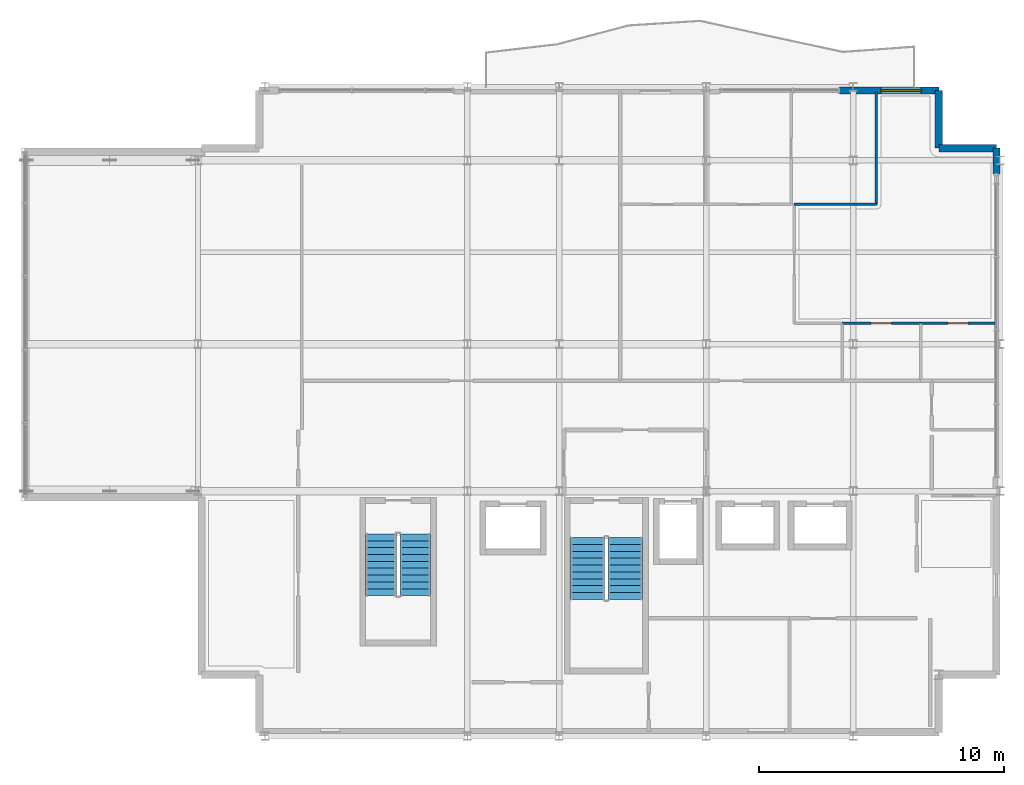
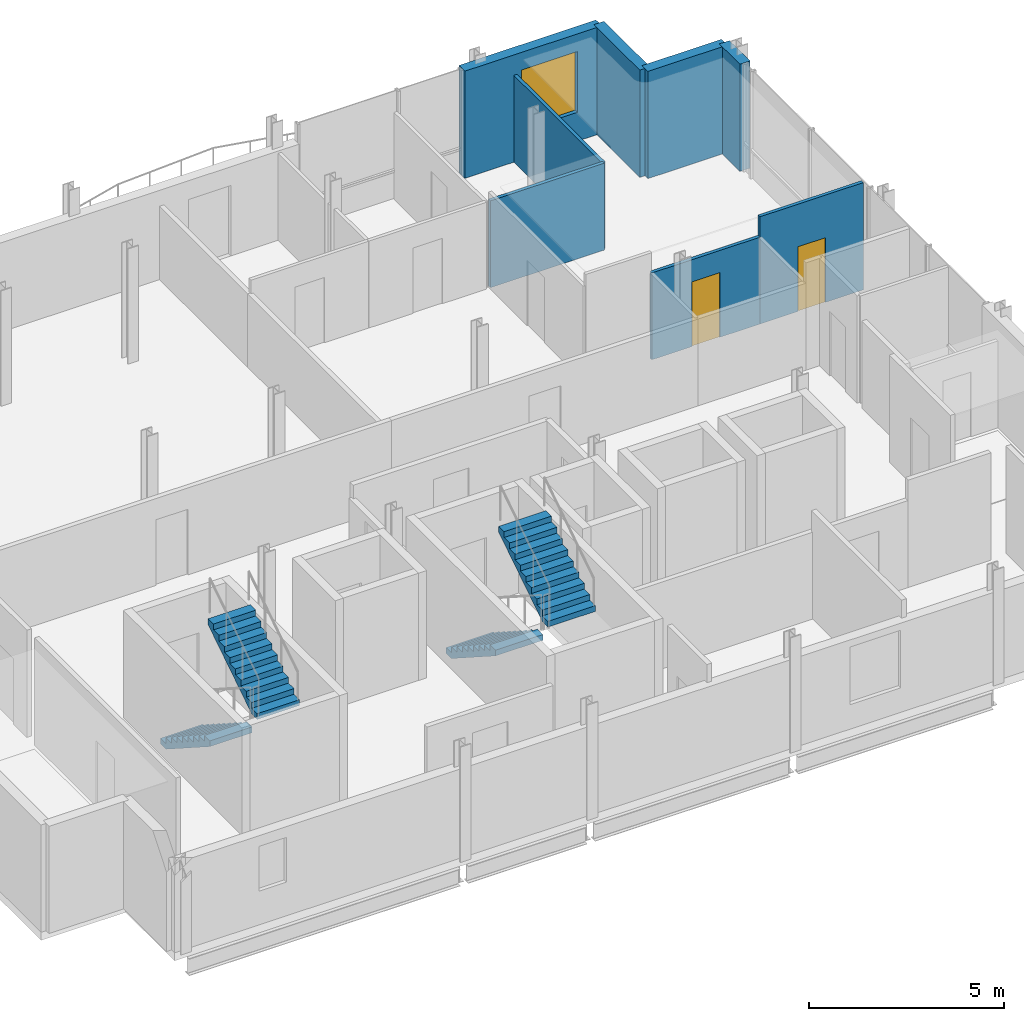
# One storey, part 16 of 18: 8 walls, 4 stair flights, 2 doors, 1 window, 3 openings, 2 elements without a shape of their own.
"""IFC4 building model written with IfcOpenShell, lengths in metres."""

from ifc_helpers import new_model, si_unit, direction, frame, frame_2d, origin, place, context, subcontext, project, spatial, polyline, rectangle, outline, extrude, material, layer, layer_set, type_object, element, fill, aggregate, save


model = new_model("IFC4")

# Units and contexts
model_context = context("Model", 3, precision=1e-05, world=origin(), true_north=direction((0.0, 1.0)))
body_context = subcontext(model_context, "Body", "Model", "MODEL_VIEW")
ifc_project = project(units=[si_unit("LENGTHUNIT", "METRE"), si_unit("AREAUNIT", "SQUARE_METRE"), si_unit("VOLUMEUNIT", "CUBIC_METRE"), si_unit("PLANEANGLEUNIT", "RADIAN"), si_unit("MASSUNIT", "GRAM", prefix="KILO")], contexts=[model_context])

# Site, building, storey
site_placement = place(None, origin())
site = spatial("IfcSite", under=ifc_project, at=site_placement, CompositionType="ELEMENT")
building_placement = place(site_placement, origin())
building = spatial("IfcBuilding", under=site, at=building_placement, Name="Brevholm Reach", CompositionType="ELEMENT")
storey_placement = place(building_placement, frame((0.0, 0.0, 240.050048828125)))
storey = spatial("IfcBuildingStorey", under=building, at=storey_placement, Name="L73", CompositionType="ELEMENT", Elevation=240.050048828125)

# Walls
ifc_material_1 = material(Name="Concrete C40/50", Category="concrete")
ifc_layer_1 = layer(ifc_material_1, 0.300048828125)
ifc_layer_set_1 = layer_set([ifc_layer_1], Name="Concrete C40/50")
wall_type_1 = type_object("IfcWallType", Name="WAL-EXT-300", PredefinedType="STANDARD", material=ifc_layer_set_1)
for number, where, z_axis, x_axis, name in (
    (1, (59.85009765625, 24.0, 0.0), (0.0, 0.0, 1.0), (-1.0, 0.0, 0.0), "L73 Facade Wall WAL-L73-CNE1"),
    (2, (57.5, 24.0, 0.0), (0.0, 0.0, 1.0), (0.0, 1.0, 0.0), "L73 Facade Wall WAL-L73-CNE2"),
):
    element("IfcWall", number, at=place(storey_placement, frame(where, z_axis=z_axis, x_axis=x_axis)), inside=storey, type_object=wall_type_1, Name=name, PredefinedType="STANDARD", context=body_context, shape_type="SweptSolid", body=[
        extrude(rectangle(XDim=2.35009765625, YDim=0.300048828125, at=frame_2d((1.175048828125, 0.0))), origin(), (0.0, 0.0, 1.0), 3.349853515625),
    ])
wall_1_placement = place(storey_placement, frame((59.85009765625, 22.949951171875, 0.0), z_axis=(0.0, 0.0, 1.0), x_axis=(0.0, 1.0, 0.0)))
element("IfcWall", 3, at=wall_1_placement, inside=storey, type_object=wall_type_1, Name="L73 Facade Wall WAL-L73-E-TOP", PredefinedType="STANDARD", context=body_context, shape_type="SweptSolid", body=[
    extrude(rectangle(XDim=1.050048828125, YDim=0.300048828125, at=frame_2d((0.52490234375, 0.0))), origin(), (0.0, 0.0, 1.0), 3.349853515625),
])

# Wall, opening, window
wall_2_placement = place(storey_placement, frame((53.449951171875, 26.35009765625, 0.0), z_axis=(0.0, 0.0, 1.0), x_axis=(1.0, 0.0, 0.0)))
wall_2 = element("IfcWall", 4, at=wall_2_placement, inside=storey, type_object=wall_type_1, Name="L73 Facade Wall WAL-L73-NP-4", PredefinedType="STANDARD", context=body_context, shape_type="SweptSolid", body=[
    extrude(rectangle(XDim=4.050048828125, YDim=0.300048828125, at=frame_2d((2.02490234375, 0.0))), origin(), (0.0, 0.0, 1.0), 3.349853515625),
])
opening_1_placement = place(wall_2_placement, frame((1.678955078125, 0.0, 0.89990234375)))
opening_1 = element("IfcOpeningElement", 5, at=opening_1_placement, cuts=wall_2, Name="Opening WN-06", PredefinedType="OPENING", context=body_context, shape_type="SweptSolid", body=[
    extrude(rectangle(XDim=1.64990234375, YDim=1.89990234375, at=frame_2d((0.824951171875, 0.949951171875))), frame((0.0, 0.159912109375, 0.0), z_axis=(0.0, -1.0, 0.0), x_axis=(1.0, 0.0, 0.0)), (0.0, 0.0, 1.0), 0.320068359375),
])
ifc_material_2 = material(Name="Dark Anodised Aluminium and Solar-Control IGU Glass", Category="aluminium")
window_type = type_object("IfcWindowType", Name="WIN-RES-1650", PartitioningType="SINGLE_PANEL", PredefinedType="WINDOW", material=ifc_material_2)
window_placement = place(opening_1_placement, origin())
window = element("IfcWindow", 6, at=window_placement, inside=storey, type_object=window_type, Name="L73 Window WIN-L73-NP-4", OverallHeight=1.89990234375, OverallWidth=1.64990234375, PartitioningType="SINGLE_PANEL", PredefinedType="WINDOW", context=body_context, shape_type="SweptSolid", body=[
    extrude(rectangle(XDim=1.64990234375, YDim=1.89990234375, at=frame_2d((0.824951171875, 0.949951171875))), frame((0.0, 0.030029296875, 0.0), z_axis=(0.0, -1.0, 0.0), x_axis=(1.0, 0.0, 0.0)), (0.0, 0.0, 1.0), 0.06005859375),
])
fill(opening_1, window)

# Wall, opening, door
ifc_material_3 = material(Name="Moisture-Resistant Acoustic Gypsum Stud Partition 100 mm", Category="gypsum")
ifc_layer_2 = layer(ifc_material_3, 0.10009765625)
ifc_layer_set_2 = layer_set([ifc_layer_2], Name="Moisture-Resistant Acoustic Gypsum Stud Partition 100 mm")
wall_type_2 = type_object("IfcWallType", Name="WAL-PRT-100", PredefinedType="PARTITIONING", material=ifc_layer_set_2)
wall_3_placement = place(storey_placement, frame((56.75, 16.85009765625, 0.0), z_axis=(0.0, 0.0, 1.0), x_axis=(1.0, 0.0, 0.0)))
wall_3 = element("IfcWall", 7, at=wall_3_placement, inside=storey, type_object=wall_type_2, Name="L73 Internal Partition 026", PredefinedType="PARTITIONING", context=body_context, shape_type="SweptSolid", body=[
    extrude(rectangle(XDim=3.050048828125, YDim=0.10009765625, at=frame_2d((1.52490234375, 0.0))), origin(), (0.0, 0.0, 1.0), 3.349853515625),
])
opening_2_placement = place(wall_3_placement, frame((1.114990234375, 0.0, 0.0)))
opening_2 = element("IfcOpeningElement", 8, at=opening_2_placement, cuts=wall_3, Name="Opening ID-03", PredefinedType="OPENING", context=body_context, shape_type="SweptSolid", body=[
    extrude(rectangle(XDim=0.820068359375, YDim=2.02001953125, at=frame_2d((0.41015625, 1.010009765625))), frame((0.0, 0.06005859375, 0.0), z_axis=(0.0, -1.0, 0.0), x_axis=(1.0, 0.0, 0.0)), (0.0, 0.0, 1.0), 0.1201171875),
])
ifc_material_4 = material(Name="Moisture-Resistant Painted Timber Internal Bathroom Door", Category="wood")
door_type = type_object("IfcDoorType", Name="DOR-BATH-820", OperationType="NOTDEFINED", PredefinedType="DOOR", material=ifc_material_4)
door_1_placement = place(opening_2_placement, origin())
door_1 = element("IfcDoor", 9, at=door_1_placement, inside=storey, type_object=door_type, Name="L73 Access Door 017", OperationType="SINGLE_SWING_LEFT", OverallHeight=2.02001953125, OverallWidth=0.820068359375, PredefinedType="DOOR", context=body_context, shape_type="SweptSolid", body=[
    extrude(rectangle(XDim=0.820068359375, YDim=2.02001953125, at=frame_2d((0.41015625, 1.010009765625))), frame((0.0, 0.02490234375, 0.0), z_axis=(0.0, -1.0, 0.0), x_axis=(1.0, 0.0, 0.0)), (0.0, 0.0, 1.0), 0.050048828125),
])
fill(opening_2, door_1)

wall_4_placement = place(storey_placement, frame((53.550048828125, 16.85009765625, 0.0), z_axis=(0.0, 0.0, 1.0), x_axis=(1.0, 0.0, 0.0)))
wall_4 = element("IfcWall", 10, at=wall_4_placement, inside=storey, type_object=wall_type_2, Name="L73 Internal Partition 027", PredefinedType="PARTITIONING", context=body_context, shape_type="SweptSolid", body=[
    extrude(rectangle(XDim=3.196044921875, YDim=0.10009765625, at=frame_2d((1.59814453125, 0.0))), origin(), (0.0, 0.0, 1.0), 2.712646484375),
])
opening_3_placement = place(wall_4_placement, frame((1.18798828125, 0.0, 0.0)))
opening_3 = element("IfcOpeningElement", 11, at=opening_3_placement, cuts=wall_4, Name="Opening ID-03", PredefinedType="OPENING", context=body_context, shape_type="SweptSolid", body=[
    extrude(rectangle(XDim=0.820068359375, YDim=2.02001953125, at=frame_2d((0.41015625, 1.010009765625))), frame((0.0, 0.06005859375, 0.0), z_axis=(0.0, -1.0, 0.0), x_axis=(1.0, 0.0, 0.0)), (0.0, 0.0, 1.0), 0.1201171875),
])
door_2_placement = place(opening_3_placement, origin())
door_2 = element("IfcDoor", 12, at=door_2_placement, inside=storey, type_object=door_type, Name="L73 Access Door 018", OperationType="SINGLE_SWING_RIGHT", OverallHeight=2.02001953125, OverallWidth=0.820068359375, PredefinedType="DOOR", context=body_context, shape_type="SweptSolid", body=[
    extrude(rectangle(XDim=0.820068359375, YDim=2.02001953125, at=frame_2d((0.41015625, 1.010009765625))), frame((0.0, 0.02490234375, 0.0), z_axis=(0.0, -1.0, 0.0), x_axis=(1.0, 0.0, 0.0)), (0.0, 0.0, 1.0), 0.050048828125),
])
fill(opening_3, door_2)

# Walls
wall_5_placement = place(storey_placement, frame((51.588623046875, 21.699951171875, 0.0), z_axis=(0.0, 0.0, 1.0), x_axis=(1.0, 0.0, 0.0)))
element("IfcWall", 13, at=wall_5_placement, inside=storey, type_object=wall_type_2, Name="L73 Internal Partition 033", PredefinedType="PARTITIONING", context=body_context, shape_type="SweptSolid", body=[
    extrude(rectangle(XDim=3.3603515625, YDim=0.10009765625, at=frame_2d((1.68017578125, 0.0))), origin(), (0.0, 0.0, 1.0), 2.712646484375),
])
wall_6_placement = place(storey_placement, frame((54.948974609375, 21.699951171875, 0.0), z_axis=(0.0, 0.0, 1.0), x_axis=(0.0, 1.0, 0.0)))
element("IfcWall", 14, at=wall_6_placement, inside=storey, type_object=wall_type_2, Name="L73 Internal Partition 034", PredefinedType="PARTITIONING", context=body_context, shape_type="SweptSolid", body=[
    extrude(rectangle(XDim=4.60009765625, YDim=0.10009765625, at=frame_2d((2.300048828125, 0.0))), origin(), (0.0, 0.0, 1.0), 2.712646484375),
])

# Stair, stair flights
ifc_material_5 = material(Name="Precast Concrete C40/50", Category="concrete")
stair_type_1 = type_object("IfcStairType", Name="STR-ESC-1250", PredefinedType="DOUBLE_RETURN_STAIR", material=ifc_material_5)
stair_1_placement = place(storey_placement, origin())
stair_1 = element("IfcStair", 15, at=stair_1_placement, inside=storey, type_object=stair_type_1, Name="L73 ST-3", PredefinedType="DOUBLE_RETURN_STAIR")
ifc_material_6 = material(Name="Precast Concrete C40/50", Category="concrete")
ifc_layer_3 = layer(ifc_material_6, 0.1650390625)
ifc_layer_set_3 = layer_set([ifc_layer_3], Name="Precast Concrete C40/50")
stair_flight_type_1 = type_object("IfcStairFlightType", Name="STF-PRC-165", PredefinedType="STRAIGHT", material=ifc_layer_set_3)
stair_flight_1_placement = place(storey_placement, frame((34.72509765625, 8.25, 0.0), z_axis=(0.0, 0.0, 1.0), x_axis=(0.0, -1.0, 0.0)))
stair_flight_1 = element("IfcStairFlight", 16, at=stair_flight_1_placement, type_object=stair_flight_type_1, Name="ST-3 flight 1", NumberOfRisers=10, NumberOfTreads=9, PredefinedType="STRAIGHT", RiserHeight=0.18, TreadLength=0.28, context=body_context, shape_type="SweptSolid", body=[
    extrude(outline(polyline([(0.0, 0.0), (0.0, 0.179931640625), (0.280029296875, 0.179931640625), (0.280029296875, 0.360107421875), (0.56005859375, 0.360107421875), (0.56005859375, 0.5400390625), (0.840087890625, 0.5400390625), (0.840087890625, 0.719970703125), (1.1201171875, 0.719970703125), (1.1201171875, 0.89990234375), (1.39990234375, 0.89990234375), (1.39990234375, 1.080078125), (1.679931640625, 1.080078125), (1.679931640625, 1.260009765625), (1.9599609375, 1.260009765625), (1.9599609375, 1.43994140625), (2.239990234375, 1.43994140625), (2.239990234375, 1.6201171875), (2.52001953125, 1.6201171875), (2.52001953125, 1.800048828125), (2.52001953125, 1.44189453125), (0.277099609375, 0.0), (0.0, 0.0)])), frame((0.0, 0.625, 0.0), z_axis=(0.0, -1.0, 0.0), x_axis=(1.0, 0.0, 0.0)), (0.0, 0.0, 1.0), 1.25),
])
stair_flight_2_placement = place(storey_placement, frame((36.125, 5.72998046875, 1.800048828125), z_axis=(0.0, 0.0, 1.0), x_axis=(0.0, 1.0, 0.0)))
stair_flight_2 = element("IfcStairFlight", 17, at=stair_flight_2_placement, type_object=stair_flight_type_1, Name="ST-3 flight 2", NumberOfRisers=10, NumberOfTreads=9, PredefinedType="STRAIGHT", RiserHeight=0.18, TreadLength=0.28, context=body_context, shape_type="SweptSolid", body=[
    extrude(outline(polyline([(0.0, 0.0), (0.0, 0.179931640625), (0.280029296875, 0.179931640625), (0.280029296875, 0.360107421875), (0.56005859375, 0.360107421875), (0.56005859375, 0.5400390625), (0.840087890625, 0.5400390625), (0.840087890625, 0.719970703125), (1.1201171875, 0.719970703125), (1.1201171875, 0.89990234375), (1.39990234375, 0.89990234375), (1.39990234375, 1.080078125), (1.679931640625, 1.080078125), (1.679931640625, 1.260009765625), (1.9599609375, 1.260009765625), (1.9599609375, 1.43994140625), (2.239990234375, 1.43994140625), (2.239990234375, 1.6201171875), (2.52001953125, 1.6201171875), (2.52001953125, 1.800048828125), (2.52001953125, 1.44189453125), (0.277099609375, 0.0), (0.0, 0.0)])), frame((0.0, 0.625, 0.0), z_axis=(0.0, -1.0, 0.0), x_axis=(1.0, 0.0, 0.0)), (0.0, 0.0, 1.0), 1.25),
])
aggregate(stair_1, [stair_flight_1, stair_flight_2])

ifc_material_7 = material(Name="Precast Concrete C40/50", Category="concrete")
stair_type_2 = type_object("IfcStairType", Name="STR-ESC-1400", PredefinedType="DOUBLE_RETURN_STAIR", material=ifc_material_7)
stair_2_placement = place(storey_placement, origin())
stair_2 = element("IfcStair", 18, at=stair_2_placement, inside=storey, type_object=stair_type_2, Name="L73 ST-2", PredefinedType="DOUBLE_RETURN_STAIR")
ifc_material_8 = material(Name="Precast Concrete C40/50", Category="concrete")
ifc_layer_4 = layer(ifc_material_8, 0.18505859375)
ifc_layer_set_4 = layer_set([ifc_layer_4], Name="Precast Concrete C40/50")
stair_flight_type_2 = type_object("IfcStairFlightType", Name="STF-PRC-185", PredefinedType="STRAIGHT", material=ifc_layer_set_4)
stair_flight_3_placement = place(storey_placement, frame((43.14990234375, 8.10009765625, 0.0), z_axis=(0.0, 0.0, 1.0), x_axis=(0.0, -1.0, 0.0)))
stair_flight_3 = element("IfcStairFlight", 19, at=stair_flight_3_placement, type_object=stair_flight_type_2, Name="ST-2 flight 1", NumberOfRisers=10, NumberOfTreads=9, PredefinedType="STRAIGHT", RiserHeight=0.18, TreadLength=0.28, context=body_context, shape_type="SweptSolid", body=[
    extrude(outline(polyline([(0.0, 0.0), (0.0, 0.179931640625), (0.280029296875, 0.179931640625), (0.280029296875, 0.360107421875), (0.56005859375, 0.360107421875), (0.56005859375, 0.5400390625), (0.840087890625, 0.5400390625), (0.840087890625, 0.719970703125), (1.1201171875, 0.719970703125), (1.1201171875, 0.89990234375), (1.39990234375, 0.89990234375), (1.39990234375, 1.080078125), (1.679931640625, 1.080078125), (1.679931640625, 1.260009765625), (1.9599609375, 1.260009765625), (1.9599609375, 1.43994140625), (2.239990234375, 1.43994140625), (2.239990234375, 1.6201171875), (2.52001953125, 1.6201171875), (2.52001953125, 1.800048828125), (2.52001953125, 1.44189453125), (0.277099609375, 0.0), (0.0, 0.0)])), frame((0.0, 0.699951171875, 0.0), z_axis=(0.0, -1.0, 0.0), x_axis=(1.0, 0.0, 0.0)), (0.0, 0.0, 1.0), 1.39990234375),
])
stair_flight_4_placement = place(storey_placement, frame((44.699951171875, 5.580078125, 1.800048828125), z_axis=(0.0, 0.0, 1.0), x_axis=(0.0, 1.0, 0.0)))
stair_flight_4 = element("IfcStairFlight", 20, at=stair_flight_4_placement, type_object=stair_flight_type_2, Name="ST-2 flight 2", NumberOfRisers=10, NumberOfTreads=9, PredefinedType="STRAIGHT", RiserHeight=0.18, TreadLength=0.28, context=body_context, shape_type="SweptSolid", body=[
    extrude(outline(polyline([(0.0, 0.0), (0.0, 0.179931640625), (0.280029296875, 0.179931640625), (0.280029296875, 0.360107421875), (0.56005859375, 0.360107421875), (0.56005859375, 0.5400390625), (0.840087890625, 0.5400390625), (0.840087890625, 0.719970703125), (1.1201171875, 0.719970703125), (1.1201171875, 0.89990234375), (1.39990234375, 0.89990234375), (1.39990234375, 1.080078125), (1.679931640625, 1.080078125), (1.679931640625, 1.260009765625), (1.9599609375, 1.260009765625), (1.9599609375, 1.43994140625), (2.239990234375, 1.43994140625), (2.239990234375, 1.6201171875), (2.52001953125, 1.6201171875), (2.52001953125, 1.800048828125), (2.52001953125, 1.44189453125), (0.277099609375, 0.0), (0.0, 0.0)])), frame((0.0, 0.699951171875, 0.0), z_axis=(0.0, -1.0, 0.0), x_axis=(1.0, 0.0, 0.0)), (0.0, 0.0, 1.0), 1.39990234375),
])
aggregate(stair_2, [stair_flight_3, stair_flight_4])

save(model, "model.ifc")
